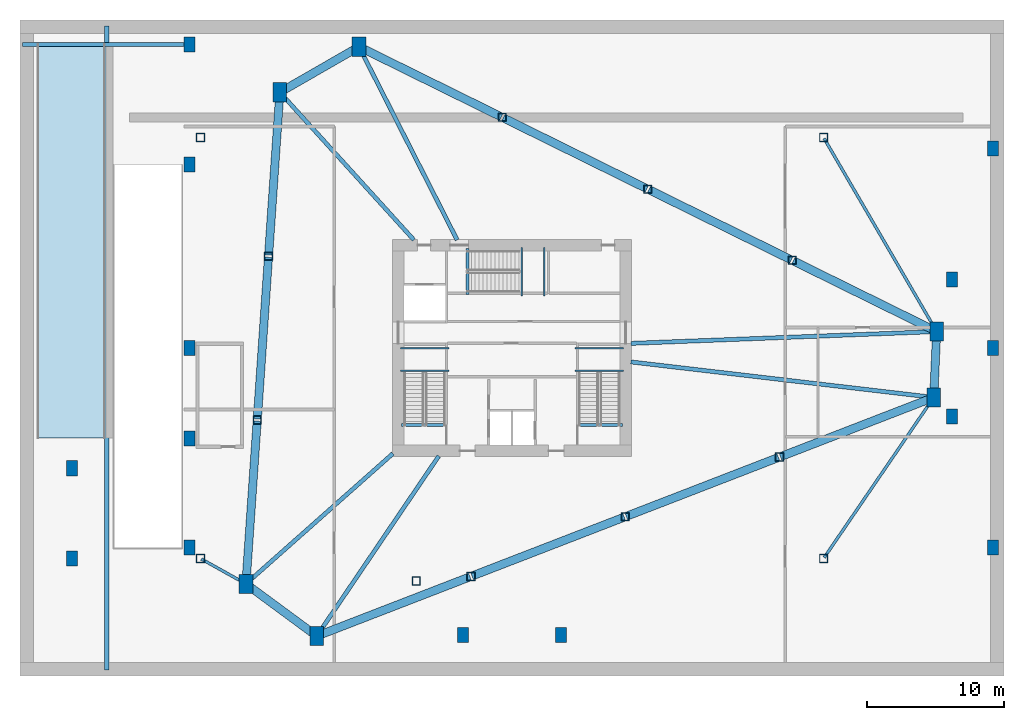
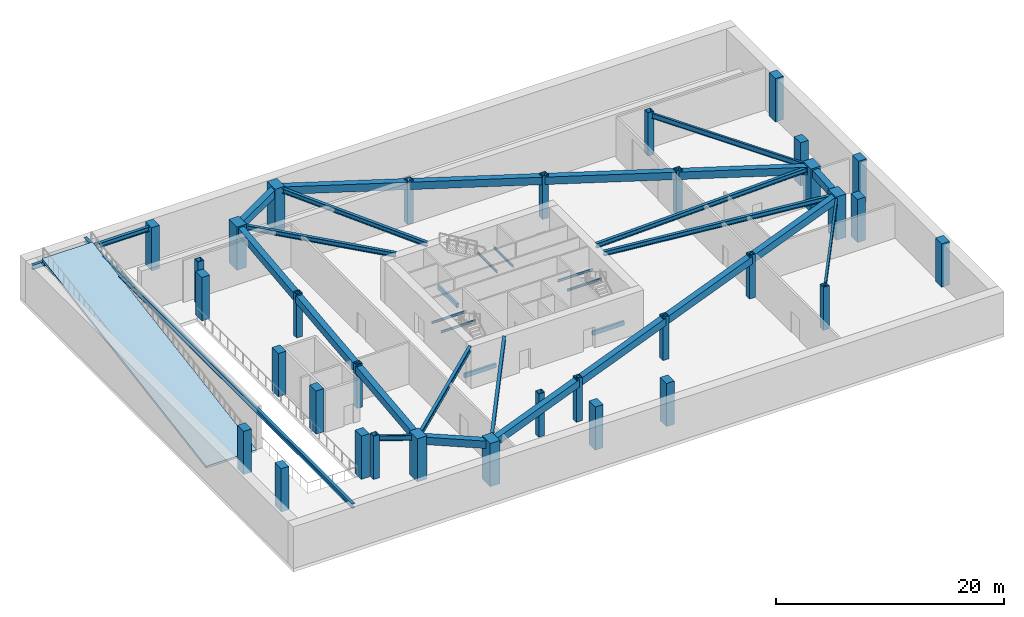
# One storey, part 1 of 9: 34 beams, 33 columns, 1 slab.
"""IFC4 building model written with IfcOpenShell, lengths in metres."""

from ifc_helpers import new_model, si_unit, direction, frame, origin, origin_2d, place, context, subcontext, project, spatial, polyline, rectangle, hollow_rectangle, i_section, outline, extrude, source, transform, mapped, material, layer, layer_set, material_profile, profile_set, type_object, element, save


model = new_model("IFC4")

# Units and contexts
model_context = context("Model", 3, precision=1e-05, world=origin(), true_north=direction((0.0, 1.0)))
body_context = subcontext(model_context, "Body", "Model", "MODEL_VIEW")
ifc_project = project(units=[si_unit("LENGTHUNIT", "METRE"), si_unit("AREAUNIT", "SQUARE_METRE"), si_unit("VOLUMEUNIT", "CUBIC_METRE"), si_unit("PLANEANGLEUNIT", "RADIAN"), si_unit("MASSUNIT", "GRAM", prefix="KILO")], contexts=[model_context])

# Site, building, storey
site_placement = place(None, origin())
site = spatial("IfcSite", under=ifc_project, at=site_placement, CompositionType="ELEMENT")
building_placement = place(site_placement, origin())
building = spatial("IfcBuilding", under=site, at=building_placement, Name="Olszyna Solenne Hotel", CompositionType="ELEMENT")
storey_placement = place(building_placement, frame((0.0, 0.0, -4.800048828125)))
storey = spatial("IfcBuildingStorey", under=building, at=storey_placement, Name="B01", CompositionType="ELEMENT", Elevation=-4.800048828125)

# Columns
ifc_material_1 = material(Name="Concrete C60/75", Category="concrete")
ifc_material_profile_1 = material_profile(ifc_material_1, rectangle(XDim=1.0, YDim=1.39990234375, at=origin_2d()), Name="RC 1400x1000", Category="load-bearing")
ifc_profile_set_1 = profile_set([ifc_material_profile_1], Name="Concrete C60/75")
column_type_1 = type_object("IfcColumnType", Name="COL-P1", PredefinedType="COLUMN", material=ifc_profile_set_1)
shared_shape_1 = source(origin(), body_context, "Body", "SweptSolid", [
    extrude(rectangle(XDim=1.0, YDim=1.39990234375, at=origin_2d()), origin(), (0.0, 0.0, 1.0), 4.635009765625),
])
for number, where, z_axis, x_axis, name in (
    (1, (68.858154296875, 22.984619140625, 0.0), (0.0, 0.0, 1.0), (1.0, 0.0, 0.0), "Podium mega-column COL-P1 C-B01-P1-01"),
    (2, (69.072509765625, 27.802978515625, 0.0), (0.0, 0.0, 1.0), (1.0, 0.0, 0.0), "Podium mega-column COL-P1 C-B01-P1-02"),
    (3, (26.808837890625, 48.6416015625, 0.0), (0.0, 0.0, 1.0), (1.0, 0.0, 0.0), "Podium mega-column COL-P1 C-B01-P1-03"),
    (4, (21.014404296875, 45.309326171875, 0.0), (0.0, 0.0, 1.0), (1.0, 0.0, 0.0), "Podium mega-column COL-P1 C-B01-P1-04"),
    (5, (18.53173828125, 9.34130859375, 0.0), (0.0, 0.0, 1.0), (1.0, 0.0, 0.0), "Podium mega-column COL-P1 C-B01-P1-05"),
    (6, (23.71435546875, 5.520263671875, 0.0), (0.0, 0.0, 1.0), (1.0, 0.0, 0.0), "Podium mega-column COL-P1 C-B01-P1-06"),
):
    element("IfcColumn", number, at=place(storey_placement, frame(where, z_axis=z_axis, x_axis=x_axis)), inside=storey, type_object=column_type_1, Name=name, PredefinedType="COLUMN", context=body_context, shape_type="MappedRepresentation", body=[
        mapped(shared_shape_1, transform((0.0, 0.0, 0.0), x_axis=(1.0, 0.0, 0.0), y_axis=(0.0, 1.0, 0.0), z_axis=(0.0, 0.0, 1.0), scale=1.0)),
    ])
ifc_material_2 = material(Name="Steel S460M", Category="steel")
ifc_material_profile_2 = material_profile(ifc_material_2, hollow_rectangle(XDim=0.60009765625, YDim=0.60009765625, WallThickness=0.034912109375, at=origin_2d()), Name="SHS 600x600x35", Category="load-bearing")
ifc_profile_set_2 = profile_set([ifc_material_profile_2], Name="Steel S460M")
column_type_2 = type_object("IfcColumnType", Name="COL-P2", PredefinedType="COLUMN", material=ifc_profile_set_2)
shared_shape_2 = source(origin(), body_context, "Body", "SweptSolid", [
    extrude(hollow_rectangle(XDim=0.60009765625, YDim=0.60009765625, WallThickness=0.034912109375, at=origin_2d()), origin(), (0.0, 0.0, 1.0), 4.635009765625),
])
for number, where, z_axis, x_axis, name in (
    (7, (15.199951171875, 11.199951171875, 0.0), (0.0, 0.0, 1.0), (1.0, 0.0, 0.0), "Podium mega-column COL-P2 C-B01-P2-01"),
    (8, (15.199951171875, 42.0, 0.0), (0.0, 0.0, 1.0), (1.0, 0.0, 0.0), "Podium mega-column COL-P2 C-B01-P2-02"),
    (9, (60.800048828125, 11.199951171875, 0.0), (0.0, 0.0, 1.0), (1.0, 0.0, 0.0), "Podium mega-column COL-P2 C-B01-P2-03"),
    (10, (60.800048828125, 42.0, 0.0), (0.0, 0.0, 1.0), (1.0, 0.0, 0.0), "Podium mega-column COL-P2 C-B01-P2-04"),
    (11, (58.506591796875, 33.0126953125, 0.0), (0.0, 0.0, 1.0), (1.0, 0.0, 0.0), "Podium transfer-support column COL-P2 C-B01-TG-01"),
    (12, (47.94091796875, 38.222412109375, 0.0), (0.0, 0.0, 1.0), (1.0, 0.0, 0.0), "Podium transfer-support column COL-P2 C-B01-TG-02"),
    (13, (37.287109375, 43.47509765625, 0.0), (0.0, 0.0, 1.0), (1.0, 0.0, 0.0), "Podium transfer-support column COL-P2 C-B01-TG-03"),
    (14, (20.186767578125, 33.320068359375, 0.0), (0.0, 0.0, 1.0), (1.0, 0.0, 0.0), "Podium transfer-support column COL-P2 C-B01-TG-04"),
    (15, (19.359375, 21.33056640625, 0.0), (0.0, 0.0, 1.0), (1.0, 0.0, 0.0), "Podium transfer-support column COL-P2 C-B01-TG-05"),
    (16, (35.000244140625, 9.88623046875, 0.0), (0.0, 0.0, 1.0), (1.0, 0.0, 0.0), "Podium transfer-support column COL-P2 C-B01-TG-06"),
    (17, (46.2861328125, 14.25244140625, 0.0), (0.0, 0.0, 1.0), (1.0, 0.0, 0.0), "Podium transfer-support column COL-P2 C-B01-TG-07"),
    (18, (57.572265625, 18.618408203125, 0.0), (0.0, 0.0, 1.0), (1.0, 0.0, 0.0), "Podium transfer-support column COL-P2 C-B01-TG-08"),
    (19, (31.0, 9.550048828125, 0.0), (0.0, 0.0, 1.0), (1.0, 0.0, 0.0), "Feature stair support column COL-P2 C-B01-FS1"),
):
    element("IfcColumn", number, at=place(storey_placement, frame(where, z_axis=z_axis, x_axis=x_axis)), inside=storey, type_object=column_type_2, Name=name, PredefinedType="COLUMN", context=body_context, shape_type="MappedRepresentation", body=[
        mapped(shared_shape_2, transform((0.0, 0.0, 0.0), x_axis=(1.0, 0.0, 0.0), y_axis=(0.0, 1.0, 0.0), z_axis=(0.0, 0.0, 1.0), scale=1.0)),
    ])
ifc_material_3 = material(Name="Concrete C50/60", Category="concrete")
ifc_material_profile_3 = material_profile(ifc_material_3, rectangle(XDim=0.800048828125, YDim=1.10009765625, at=origin_2d()), Name="RC 1100x800", Category="load-bearing")
ifc_profile_set_3 = profile_set([ifc_material_profile_3], Name="Concrete C50/60")
column_type_3 = type_object("IfcColumnType", Name="COL-B1", PredefinedType="COLUMN", material=ifc_profile_set_3)
shared_shape_3 = source(origin(), body_context, "Body", "SweptSolid", [
    extrude(rectangle(XDim=0.800048828125, YDim=1.10009765625, at=origin_2d()), origin(), (0.0, 0.0, 1.0), 4.635009765625),
])
for number, where, z_axis, x_axis, name in (
    (20, (14.39990234375, 12.0, 0.0), (0.0, 0.0, 1.0), (1.0, 0.0, 0.0), "Basement perimeter column COL-B1 C-B01-B1-01"),
    (21, (14.39990234375, 19.97998046875, 0.0), (0.0, 0.0, 1.0), (1.0, 0.0, 0.0), "Basement perimeter column COL-B1 C-B01-B1-02"),
    (22, (14.39990234375, 26.60009765625, 0.0), (0.0, 0.0, 1.0), (1.0, 0.0, 0.0), "Basement perimeter column COL-B1 C-B01-B1-03"),
    (23, (14.39990234375, 40.02001953125, 0.0), (0.0, 0.0, 1.0), (1.0, 0.0, 0.0), "Basement perimeter column COL-B1 C-B01-B1-04"),
    (24, (14.39990234375, 48.820068359375, 0.0), (0.0, 0.0, 1.0), (1.0, 0.0, 0.0), "Basement perimeter column COL-B1 C-B01-B1-05"),
    (25, (34.39990234375, 5.60009765625, 0.0), (0.0, 0.0, 1.0), (1.0, 0.0, 0.0), "Basement perimeter column COL-B1 C-B01-B1-06"),
    (26, (41.60009765625, 5.60009765625, 0.0), (0.0, 0.0, 1.0), (1.0, 0.0, 0.0), "Basement perimeter column COL-B1 C-B01-B1-07"),
    (27, (73.199951171875, 12.0, 0.0), (0.0, 0.0, 1.0), (1.0, 0.0, 0.0), "Basement perimeter column COL-B1 C-B01-B1-08"),
    (28, (73.199951171875, 26.60009765625, 0.0), (0.0, 0.0, 1.0), (1.0, 0.0, 0.0), "Basement perimeter column COL-B1 C-B01-B1-09"),
    (29, (73.199951171875, 41.199951171875, 0.0), (0.0, 0.0, 1.0), (1.0, 0.0, 0.0), "Basement perimeter column COL-B1 C-B01-B1-10"),
    (30, (5.800048828125, 11.199951171875, 0.0), (0.0, 0.0, 1.0), (1.0, 0.0, 0.0), "Terrace support RC column COL-B1 C-B01-TC-063"),
    (31, (5.800048828125, 17.800048828125, 0.0), (0.0, 0.0, 1.0), (1.0, 0.0, 0.0), "Terrace support RC column COL-B1 C-B01-TC-064"),
    (32, (70.199951171875, 21.60009765625, 0.0), (0.0, 0.0, 1.0), (1.0, 0.0, 0.0), "Terrace support RC column COL-B1 C-B01-TC-065"),
    (33, (70.199951171875, 31.60009765625, 0.0), (0.0, 0.0, 1.0), (1.0, 0.0, 0.0), "Terrace support RC column COL-B1 C-B01-TC-066"),
):
    element("IfcColumn", number, at=place(storey_placement, frame(where, z_axis=z_axis, x_axis=x_axis)), inside=storey, type_object=column_type_3, Name=name, PredefinedType="COLUMN", context=body_context, shape_type="MappedRepresentation", body=[
        mapped(shared_shape_3, transform((0.0, 0.0, 0.0), x_axis=(1.0, 0.0, 0.0), y_axis=(0.0, 1.0, 0.0), z_axis=(0.0, 0.0, 1.0), scale=1.0)),
    ])

# Beams
ifc_material_profile_4 = material_profile(ifc_material_3, rectangle(XDim=0.60009765625, YDim=0.800048828125, at=origin_2d()), Name="RC 800x600", Category="load-bearing")
ifc_profile_set_4 = profile_set([ifc_material_profile_4], Name="Concrete C50/60")
beam_type_1 = type_object("IfcBeamType", Name="BM-B1", PredefinedType="BEAM", material=ifc_profile_set_4)
shared_shape_4 = source(origin(), body_context, "Body", "SweptSolid", [
    extrude(rectangle(XDim=0.60009765625, YDim=0.800048828125, at=origin_2d()), origin(), (0.0, 0.0, 1.0), 4.6630859375),
])
beam_1_placement = place(storey_placement, frame((68.86181640625, 23.064453125, 4.080078125), z_axis=(0.044450544341, 0.999011586073, 0.0), x_axis=(-0.999011586073, 0.044450544341, 0.0)))
element("IfcBeam", 34, at=beam_1_placement, inside=storey, type_object=beam_type_1, Name="Podium ring girder BM-B1 B-B01-0019", PredefinedType="BEAM", context=body_context, shape_type="MappedRepresentation", body=[
    mapped(shared_shape_4, transform((0.0, 0.0, 0.0), x_axis=(1.0, 0.0, 0.0), y_axis=(0.0, 1.0, 0.0), z_axis=(0.0, 0.0, 1.0), scale=1.0)),
])
ifc_material_4 = material(Name="Steel S355J2", Category="steel")
ifc_material_profile_5 = material_profile(ifc_material_4, i_section(OverallWidth=0.300048828125, OverallDepth=0.489990234375, WebThickness=0.011962890625, FlangeThickness=0.02294921875, at=origin_2d()), Name="HEA 500", Category="load-bearing")
ifc_profile_set_5 = profile_set([ifc_material_profile_5], Name="Steel S355J2")
beam_type_2 = type_object("IfcBeamType", Name="BM-G1", PredefinedType="BEAM", material=ifc_profile_set_5)
shared_shape_5 = source(origin(), body_context, "Body", "SweptSolid", [
    extrude(i_section(OverallWidth=0.300048828125, OverallDepth=0.489990234375, WebThickness=0.011962890625, FlangeThickness=0.02294921875, at=origin_2d()), origin(), (0.0, 0.0, 1.0), 22.2294921875),
])
beam_2_placement = place(storey_placement, frame((68.778564453125, 22.993896484375, 4.235107421875), z_axis=(-0.993206789888, 0.116362676665, 0.0), x_axis=(-0.116362676665, -0.993206789888, 0.0)))
element("IfcBeam", 35, at=beam_2_placement, inside=storey, type_object=beam_type_2, Name="Podium radial girder BM-G1 B-B01-0020", PredefinedType="BEAM", context=body_context, shape_type="MappedRepresentation", body=[
    mapped(shared_shape_5, transform((0.0, 0.0, 0.0), x_axis=(1.0, 0.0, 0.0), y_axis=(0.0, 1.0, 0.0), z_axis=(0.0, 0.0, 1.0), scale=1.0)),
])
shared_shape_6 = source(origin(), body_context, "Body", "SweptSolid", [
    extrude(rectangle(XDim=0.60009765625, YDim=0.800048828125, at=origin_2d()), origin(), (0.0, 0.0, 1.0), 11.6201171875),
])
for number, where, z_axis, x_axis, name in (
    (36, (69.000732421875, 27.83837890625, 4.080078125), (-0.896896785097, 0.442239931352, 0.0), (-0.442239931352, -0.896896785097, 0.0), "Podium ring girder BM-B1 B-B01-0021"),
    (37, (58.434814453125, 33.048095703125, 4.080078125), (-0.896896785097, 0.442239931352, 0.0), (-0.442239931352, -0.896896785097, 0.0), "Podium ring girder BM-B1 BRG-B01-22"),
):
    element("IfcBeam", number, at=place(storey_placement, frame(where, z_axis=z_axis, x_axis=x_axis)), inside=storey, type_object=beam_type_1, Name=name, PredefinedType="BEAM", context=body_context, shape_type="MappedRepresentation", body=[
        mapped(shared_shape_6, transform((0.0, 0.0, 0.0), x_axis=(1.0, 0.0, 0.0), y_axis=(0.0, 1.0, 0.0), z_axis=(0.0, 0.0, 1.0), scale=1.0)),
    ])
shared_shape_7 = source(origin(), body_context, "Body", "SweptSolid", [
    extrude(rectangle(XDim=0.60009765625, YDim=0.800048828125, at=origin_2d()), origin(), (0.0, 0.0, 1.0), 11.718017578125),
])
beam_3_placement = place(storey_placement, frame((47.868896484375, 38.2578125, 4.080078125), z_axis=(-0.896909246916, 0.442214656921, 0.0), x_axis=(-0.442214656921, -0.896909246916, 0.0)))
element("IfcBeam", 38, at=beam_3_placement, inside=storey, type_object=beam_type_1, Name="Podium ring girder BM-B1 BRG-B01-23", PredefinedType="BEAM", context=body_context, shape_type="MappedRepresentation", body=[
    mapped(shared_shape_7, transform((0.0, 0.0, 0.0), x_axis=(1.0, 0.0, 0.0), y_axis=(0.0, 1.0, 0.0), z_axis=(0.0, 0.0, 1.0), scale=1.0)),
])
shared_shape_8 = source(origin(), body_context, "Body", "SweptSolid", [
    extrude(rectangle(XDim=0.60009765625, YDim=0.800048828125, at=origin_2d()), origin(), (0.0, 0.0, 1.0), 11.5224609375),
])
beam_4_placement = place(storey_placement, frame((37.215087890625, 43.510498046875, 4.080078125), z_axis=(-0.896896659494, 0.442240186085, 0.0), x_axis=(-0.442240186085, -0.896896659494, 0.0)))
element("IfcBeam", 39, at=beam_4_placement, inside=storey, type_object=beam_type_1, Name="Podium ring girder BM-B1 BRG-B01-24", PredefinedType="BEAM", context=body_context, shape_type="MappedRepresentation", body=[
    mapped(shared_shape_8, transform((0.0, 0.0, 0.0), x_axis=(1.0, 0.0, 0.0), y_axis=(0.0, 1.0, 0.0), z_axis=(0.0, 0.0, 1.0), scale=1.0)),
])
shared_shape_9 = source(origin(), body_context, "Body", "SweptSolid", [
    extrude(i_section(OverallWidth=0.300048828125, OverallDepth=0.489990234375, WebThickness=0.011962890625, FlangeThickness=0.02294921875, at=origin_2d()), origin(), (0.0, 0.0, 1.0), 22.309326171875),
])
beam_5_placement = place(storey_placement, frame((68.99267578125, 27.7998046875, 4.235107421875), z_axis=(-0.999251460368, -0.038684867238, 0.0), x_axis=(0.038684867238, -0.999251460368, 0.0)))
element("IfcBeam", 40, at=beam_5_placement, inside=storey, type_object=beam_type_2, Name="Podium radial girder BM-G1 B-B01-0022", PredefinedType="BEAM", context=body_context, shape_type="MappedRepresentation", body=[
    mapped(shared_shape_9, transform((0.0, 0.0, 0.0), x_axis=(1.0, 0.0, 0.0), y_axis=(0.0, 1.0, 0.0), z_axis=(0.0, 0.0, 1.0), scale=1.0)),
])
shared_shape_10 = source(origin(), body_context, "Body", "SweptSolid", [
    extrude(rectangle(XDim=0.60009765625, YDim=0.800048828125, at=origin_2d()), origin(), (0.0, 0.0, 1.0), 6.524169921875),
])
beam_6_placement = place(storey_placement, frame((26.739501953125, 48.601806640625, 4.080078125), z_axis=(-0.866881237844, -0.498514713397, 0.0), x_axis=(0.498514713397, -0.866881237844, 0.0)))
element("IfcBeam", 41, at=beam_6_placement, inside=storey, type_object=beam_type_1, Name="Podium ring girder BM-B1 B-B01-0023", PredefinedType="BEAM", context=body_context, shape_type="MappedRepresentation", body=[
    mapped(shared_shape_10, transform((0.0, 0.0, 0.0), x_axis=(1.0, 0.0, 0.0), y_axis=(0.0, 1.0, 0.0), z_axis=(0.0, 0.0, 1.0), scale=1.0)),
])
shared_shape_11 = source(origin(), body_context, "Body", "SweptSolid", [
    extrude(i_section(OverallWidth=0.300048828125, OverallDepth=0.489990234375, WebThickness=0.011962890625, FlangeThickness=0.02294921875, at=origin_2d()), origin(), (0.0, 0.0, 1.0), 15.77392578125),
])
beam_7_placement = place(storey_placement, frame((26.84521484375, 48.5703125, 4.235107421875), z_axis=(0.452702772285, -0.891661482832, 0.0), x_axis=(0.891661482832, 0.452702772285, 0.0)))
element("IfcBeam", 42, at=beam_7_placement, inside=storey, type_object=beam_type_2, Name="Podium radial girder BM-G1 B-B01-0024", PredefinedType="BEAM", context=body_context, shape_type="MappedRepresentation", body=[
    mapped(shared_shape_11, transform((0.0, 0.0, 0.0), x_axis=(1.0, 0.0, 0.0), y_axis=(0.0, 1.0, 0.0), z_axis=(0.0, 0.0, 1.0), scale=1.0)),
])
shared_shape_12 = source(origin(), body_context, "Body", "SweptSolid", [
    extrude(rectangle(XDim=0.60009765625, YDim=0.800048828125, at=origin_2d()), origin(), (0.0, 0.0, 1.0), 11.857666015625),
])
beam_8_placement = place(storey_placement, frame((21.0087890625, 45.2294921875, 4.080078125), z_axis=(-0.068850141024, -0.997627013508, 0.0), x_axis=(0.997627013508, -0.068850141024, 0.0)))
element("IfcBeam", 43, at=beam_8_placement, inside=storey, type_object=beam_type_1, Name="Podium ring girder BM-B1 B-B01-0025", PredefinedType="BEAM", context=body_context, shape_type="MappedRepresentation", body=[
    mapped(shared_shape_12, transform((0.0, 0.0, 0.0), x_axis=(1.0, 0.0, 0.0), y_axis=(0.0, 1.0, 0.0), z_axis=(0.0, 0.0, 1.0), scale=1.0)),
])
shared_shape_13 = source(origin(), body_context, "Body", "SweptSolid", [
    extrude(rectangle(XDim=0.60009765625, YDim=0.800048828125, at=origin_2d()), origin(), (0.0, 0.0, 1.0), 11.85791015625),
])
for number, where, z_axis, x_axis, name in (
    (44, (20.181396484375, 33.240234375, 4.080078125), (-0.068869217947, -0.997625696752, 0.0), (0.997625696752, -0.068869217947, 0.0), "Podium ring girder BM-B1 BRG-B01-42"),
    (45, (19.353759765625, 21.250732421875, 4.080078125), (-0.068869217947, -0.997625696752, 0.0), (0.997625696752, -0.068869217947, 0.0), "Podium ring girder BM-B1 BRG-B01-43"),
):
    element("IfcBeam", number, at=place(storey_placement, frame(where, z_axis=z_axis, x_axis=x_axis)), inside=storey, type_object=beam_type_1, Name=name, PredefinedType="BEAM", context=body_context, shape_type="MappedRepresentation", body=[
        mapped(shared_shape_13, transform((0.0, 0.0, 0.0), x_axis=(1.0, 0.0, 0.0), y_axis=(0.0, 1.0, 0.0), z_axis=(0.0, 0.0, 1.0), scale=1.0)),
    ])
shared_shape_14 = source(origin(), body_context, "Body", "SweptSolid", [
    extrude(rectangle(XDim=0.60009765625, YDim=0.800048828125, at=origin_2d()), origin(), (0.0, 0.0, 1.0), 6.27880859375),
])
beam_9_placement = place(storey_placement, frame((18.59619140625, 9.293701171875, 4.080078125), z_axis=(0.804881840641, -0.593435103955, 0.0), x_axis=(0.593435103955, 0.804881840641, 0.0)))
element("IfcBeam", 46, at=beam_9_placement, inside=storey, type_object=beam_type_1, Name="Podium ring girder BM-B1 B-B01-0027", PredefinedType="BEAM", context=body_context, shape_type="MappedRepresentation", body=[
    mapped(shared_shape_14, transform((0.0, 0.0, 0.0), x_axis=(1.0, 0.0, 0.0), y_axis=(0.0, 1.0, 0.0), z_axis=(0.0, 0.0, 1.0), scale=1.0)),
])
shared_shape_15 = source(origin(), body_context, "Body", "SweptSolid", [
    extrude(i_section(OverallWidth=0.300048828125, OverallDepth=0.489990234375, WebThickness=0.011962890625, FlangeThickness=0.02294921875, at=origin_2d()), origin(), (0.0, 0.0, 1.0), 14.293701171875),
])
beam_10_placement = place(storey_placement, frame((18.591552734375, 9.394287109375, 4.235107421875), z_axis=(0.748292597606, 0.663368817754, 0.0), x_axis=(-0.663368817754, 0.748292597606, 0.0)))
element("IfcBeam", 47, at=beam_10_placement, inside=storey, type_object=beam_type_2, Name="Podium radial girder BM-G1 B-B01-0028", PredefinedType="BEAM", context=body_context, shape_type="MappedRepresentation", body=[
    mapped(shared_shape_15, transform((0.0, 0.0, 0.0), x_axis=(1.0, 0.0, 0.0), y_axis=(0.0, 1.0, 0.0), z_axis=(0.0, 0.0, 1.0), scale=1.0)),
])
shared_shape_16 = source(origin(), body_context, "Body", "SweptSolid", [
    extrude(rectangle(XDim=0.60009765625, YDim=0.800048828125, at=origin_2d()), origin(), (0.0, 0.0, 1.0), 11.941162109375),
])
beam_11_placement = place(storey_placement, frame((23.788818359375, 5.549072265625, 4.080078125), z_axis=(0.932645120915, 0.360795064314, 0.0), x_axis=(-0.360795064314, 0.932645120915, 0.0)))
element("IfcBeam", 48, at=beam_11_placement, inside=storey, type_object=beam_type_1, Name="Podium ring girder BM-B1 B-B01-0029", PredefinedType="BEAM", context=body_context, shape_type="MappedRepresentation", body=[
    mapped(shared_shape_16, transform((0.0, 0.0, 0.0), x_axis=(1.0, 0.0, 0.0), y_axis=(0.0, 1.0, 0.0), z_axis=(0.0, 0.0, 1.0), scale=1.0)),
])
shared_shape_17 = source(origin(), body_context, "Body", "SweptSolid", [
    extrude(rectangle(XDim=0.60009765625, YDim=0.800048828125, at=origin_2d()), origin(), (0.0, 0.0, 1.0), 11.94091796875),
])
for number, where, z_axis, x_axis, name in (
    (49, (35.074951171875, 9.915283203125, 4.080078125), (0.932649339214, 0.360784159939, 0.0), (-0.360784159939, 0.932649339214, 0.0), "Podium ring girder BM-B1 BRG-B01-62"),
    (50, (46.36083984375, 14.28125, 4.080078125), (0.932642459435, 0.360801944091, 0.0), (-0.360801944091, 0.932642459435, 0.0), "Podium ring girder BM-B1 BRG-B01-63"),
    (51, (57.646728515625, 18.6474609375, 4.080078125), (0.932642459435, 0.360801944091, 0.0), (-0.360801944091, 0.932642459435, 0.0), "Podium ring girder BM-B1 BRG-B01-64"),
):
    element("IfcBeam", number, at=place(storey_placement, frame(where, z_axis=z_axis, x_axis=x_axis)), inside=storey, type_object=beam_type_1, Name=name, PredefinedType="BEAM", context=body_context, shape_type="MappedRepresentation", body=[
        mapped(shared_shape_17, transform((0.0, 0.0, 0.0), x_axis=(1.0, 0.0, 0.0), y_axis=(0.0, 1.0, 0.0), z_axis=(0.0, 0.0, 1.0), scale=1.0)),
    ])
shared_shape_18 = source(origin(), body_context, "Body", "SweptSolid", [
    extrude(i_section(OverallWidth=0.300048828125, OverallDepth=0.489990234375, WebThickness=0.011962890625, FlangeThickness=0.02294921875, at=origin_2d()), origin(), (0.0, 0.0, 1.0), 15.830810546875),
])
beam_12_placement = place(storey_placement, frame((23.75927734375, 5.58642578125, 4.235107421875), z_axis=(0.561001243255, 0.827814958228, 0.0), x_axis=(-0.827814958228, 0.561001243255, 0.0)))
element("IfcBeam", 52, at=beam_12_placement, inside=storey, type_object=beam_type_2, Name="Podium radial girder BM-G1 B-B01-0030", PredefinedType="BEAM", context=body_context, shape_type="MappedRepresentation", body=[
    mapped(shared_shape_18, transform((0.0, 0.0, 0.0), x_axis=(1.0, 0.0, 0.0), y_axis=(0.0, 1.0, 0.0), z_axis=(0.0, 0.0, 1.0), scale=1.0)),
])
ifc_material_profile_6 = material_profile(ifc_material_4, i_section(OverallWidth=0.2099609375, OverallDepth=0.550048828125, WebThickness=0.010986328125, FlangeThickness=0.01708984375, at=origin_2d()), Name="IPE 550", Category="load-bearing")
ifc_profile_set_6 = profile_set([ifc_material_profile_6], Name="Steel S355J2")
beam_type_3 = type_object("IfcBeamType", Name="BM-F2", PredefinedType="BEAM", material=ifc_profile_set_6)
shared_shape_19 = source(origin(), body_context, "Body", "SweptSolid", [
    extrude(i_section(OverallWidth=0.2099609375, OverallDepth=0.550048828125, WebThickness=0.010986328125, FlangeThickness=0.01708984375, at=origin_2d()), origin(), (0.0, 0.0, 1.0), 3.655029296875),
])
beam_13_placement = place(storey_placement, frame((15.27001953125, 11.160888671875, 4.205078125), z_axis=(0.873286271012, -0.487207439251, 0.0), x_axis=(0.487207439251, 0.873286271012, 0.0)))
element("IfcBeam", 53, at=beam_13_placement, inside=storey, type_object=beam_type_3, Name="Podium terrace girder BM-F2 B-B01-0033", PredefinedType="BEAM", context=body_context, shape_type="MappedRepresentation", body=[
    mapped(shared_shape_19, transform((0.0, 0.0, 0.0), x_axis=(1.0, 0.0, 0.0), y_axis=(0.0, 1.0, 0.0), z_axis=(0.0, 0.0, 1.0), scale=1.0)),
])
shared_shape_20 = source(origin(), body_context, "Body", "SweptSolid", [
    extrude(i_section(OverallWidth=0.2099609375, OverallDepth=0.550048828125, WebThickness=0.010986328125, FlangeThickness=0.01708984375, at=origin_2d()), origin(), (0.0, 0.0, 1.0), 14.1162109375),
])
beam_14_placement = place(storey_placement, frame((60.84521484375, 11.26611328125, 4.205078125), z_axis=(0.564440227012, 0.825473942733, 0.0), x_axis=(-0.825473942733, 0.564440227012, 0.0)))
element("IfcBeam", 54, at=beam_14_placement, inside=storey, type_object=beam_type_3, Name="Podium terrace girder BM-F2 B-B01-0034", PredefinedType="BEAM", context=body_context, shape_type="MappedRepresentation", body=[
    mapped(shared_shape_20, transform((0.0, 0.0, 0.0), x_axis=(1.0, 0.0, 0.0), y_axis=(0.0, 1.0, 0.0), z_axis=(0.0, 0.0, 1.0), scale=1.0)),
])
shared_shape_21 = source(origin(), body_context, "Body", "SweptSolid", [
    extrude(i_section(OverallWidth=0.2099609375, OverallDepth=0.550048828125, WebThickness=0.010986328125, FlangeThickness=0.01708984375, at=origin_2d()), origin(), (0.0, 0.0, 1.0), 16.271484375),
])
beam_15_placement = place(storey_placement, frame((60.84033203125, 41.930908203125, 4.205078125), z_axis=(0.503453956375, -0.864022056322, 0.0), x_axis=(0.864022056322, 0.503453956375, 0.0)))
element("IfcBeam", 55, at=beam_15_placement, inside=storey, type_object=beam_type_3, Name="Podium terrace girder BM-F2 B-B01-0035", PredefinedType="BEAM", context=body_context, shape_type="MappedRepresentation", body=[
    mapped(shared_shape_21, transform((0.0, 0.0, 0.0), x_axis=(1.0, 0.0, 0.0), y_axis=(0.0, 1.0, 0.0), z_axis=(0.0, 0.0, 1.0), scale=1.0)),
])
shared_shape_22 = source(origin(), body_context, "Body", "SweptSolid", [
    extrude(i_section(OverallWidth=0.300048828125, OverallDepth=0.489990234375, WebThickness=0.011962890625, FlangeThickness=0.02294921875, at=origin_2d()), origin(), (0.0, 0.0, 1.0), 14.502197265625),
])
beam_16_placement = place(storey_placement, frame((21.068115234375, 45.250244140625, 4.235107421875), z_axis=(0.672176589992, -0.740390864252, 0.0), x_axis=(0.740390864252, 0.672176589992, 0.0)))
element("IfcBeam", 56, at=beam_16_placement, inside=storey, type_object=beam_type_2, Name="Podium radial girder BM-G1 B-B01-0026", PredefinedType="BEAM", context=body_context, shape_type="MappedRepresentation", body=[
    mapped(shared_shape_22, transform((0.0, 0.0, 0.0), x_axis=(1.0, 0.0, 0.0), y_axis=(0.0, 1.0, 0.0), z_axis=(0.0, 0.0, 1.0), scale=1.0)),
])
shared_shape_23 = source(origin(), body_context, "Body", "SweptSolid", [
    extrude(i_section(OverallWidth=0.300048828125, OverallDepth=0.489990234375, WebThickness=0.011962890625, FlangeThickness=0.02294921875, at=origin_2d()), origin(), (0.0, 0.0, 1.0), 12.1201171875),
])
beam_17_placement = place(storey_placement, frame((2.199951171875, 48.820068359375, 4.235107421875), z_axis=(1.0, 0.0, 0.0), x_axis=(0.0, 1.0, 0.0)))
element("IfcBeam", 57, at=beam_17_placement, inside=storey, type_object=beam_type_2, Name="L00 vehicle ramp arrival girder BM-G1 B-B01-0031", PredefinedType="BEAM", context=body_context, shape_type="MappedRepresentation", body=[
    mapped(shared_shape_23, transform((0.0, 0.0, 0.0), x_axis=(1.0, 0.0, 0.0), y_axis=(0.0, 1.0, 0.0), z_axis=(0.0, 0.0, 1.0), scale=1.0)),
])
shared_shape_24 = source(origin(), body_context, "Body", "SweptSolid", [
    extrude(i_section(OverallWidth=0.300048828125, OverallDepth=0.489990234375, WebThickness=0.011962890625, FlangeThickness=0.02294921875, at=origin_2d()), origin(), (0.0, 0.0, 1.0), 47.099853515625),
])
beam_18_placement = place(storey_placement, frame((8.35009765625, 3.050048828125, 4.235107421875), z_axis=(0.0, 1.0, 0.0), x_axis=(-1.0, 0.0, 0.0)))
element("IfcBeam", 58, at=beam_18_placement, inside=storey, type_object=beam_type_2, Name="L00 vehicle ramp East edge girder BM-G1 B-B01-0032", PredefinedType="BEAM", context=body_context, shape_type="MappedRepresentation", body=[
    mapped(shared_shape_24, transform((0.0, 0.0, 0.0), x_axis=(1.0, 0.0, 0.0), y_axis=(0.0, 1.0, 0.0), z_axis=(0.0, 0.0, 1.0), scale=1.0)),
])
ifc_material_profile_7 = material_profile(ifc_material_4, i_section(OverallWidth=0.1201171875, OverallDepth=0.239990234375, WebThickness=0.006103515625, FlangeThickness=0.009765625, at=origin_2d()), Name="IPE 240", Category="load-bearing")
ifc_profile_set_7 = profile_set([ifc_material_profile_7], Name="Steel S355J2")
beam_type_4 = type_object("IfcBeamType", Name="JS-03", PredefinedType="JOIST", material=ifc_profile_set_7)
shared_shape_25 = source(origin(), body_context, "Body", "SweptSolid", [
    extrude(i_section(OverallWidth=0.1201171875, OverallDepth=0.239990234375, WebThickness=0.006103515625, FlangeThickness=0.009765625, at=origin_2d()), origin(), (0.0, 0.0, 1.0), 3.539794921875),
])
for number, where, z_axis, x_axis, name in (
    (59, (33.3798828125, 24.93994140625, 2.074951171875), (-1.0, 0.0, 0.0), (0.0, -1.0, 0.0), "Stair landing support beam JS-03 SLB-ST1-0003"),
    (60, (33.3798828125, 26.580078125, 2.074951171875), (-1.0, 0.0, 0.0), (0.0, -1.0, 0.0), "Stair landing support beam JS-03 SLB-ST1-0004"),
    (61, (46.159912109375, 24.93994140625, 2.074951171875), (-1.0, 0.0, 0.0), (0.0, -1.0, 0.0), "Stair landing support beam JS-03 SLB-ST2-0243"),
    (62, (46.159912109375, 26.580078125, 2.074951171875), (-1.0, 0.0, 0.0), (0.0, -1.0, 0.0), "Stair landing support beam JS-03 SLB-ST2-0244"),
):
    element("IfcBeam", number, at=place(storey_placement, frame(where, z_axis=z_axis, x_axis=x_axis)), inside=storey, type_object=beam_type_4, Name=name, PredefinedType="JOIST", context=body_context, shape_type="MappedRepresentation", body=[
        mapped(shared_shape_25, transform((0.0, 0.0, 0.0), x_axis=(1.0, 0.0, 0.0), y_axis=(0.0, 1.0, 0.0), z_axis=(0.0, 0.0, 1.0), scale=1.0)),
    ])
ifc_material_profile_8 = material_profile(ifc_material_3, rectangle(XDim=0.219970703125, YDim=0.43994140625, at=origin_2d()), Name="RC 220x440", Category="load-bearing")
ifc_profile_set_8 = profile_set([ifc_material_profile_8], Name="Concrete C50/60")
beam_type_5 = type_object("IfcBeamType", Name="BM-ST1", PredefinedType="BEAM", material=ifc_profile_set_8)
shared_shape_26 = source(origin(), body_context, "Body", "SweptSolid", [
    extrude(rectangle(XDim=0.219970703125, YDim=0.43994140625, at=origin_2d()), origin(), (0.0, 0.0, 1.0), 3.18017578125),
])
for number, where, z_axis, x_axis, name in (
    (63, (33.10009765625, 20.97998046875, -0.204833984375), (-1.0, 0.0, 0.0), (0.0, -1.0, 0.0), "Concrete stair trimmer beam BM-ST1 SHB-ST1-0161"),
    (64, (46.080078125, 20.97998046875, -0.204833984375), (-1.0, 0.0, 0.0), (0.0, -1.0, 0.0), "Concrete stair trimmer beam BM-ST1 SHB-ST2-0401"),
):
    element("IfcBeam", number, at=place(storey_placement, frame(where, z_axis=z_axis, x_axis=x_axis)), inside=storey, type_object=beam_type_5, Name=name, PredefinedType="BEAM", context=body_context, shape_type="MappedRepresentation", body=[
        mapped(shared_shape_26, transform((0.0, 0.0, 0.0), x_axis=(1.0, 0.0, 0.0), y_axis=(0.0, 1.0, 0.0), z_axis=(0.0, 0.0, 1.0), scale=1.0)),
    ])
shared_shape_27 = source(origin(), body_context, "Body", "SweptSolid", [
    extrude(i_section(OverallWidth=0.1201171875, OverallDepth=0.239990234375, WebThickness=0.006103515625, FlangeThickness=0.009765625, at=origin_2d()), origin(), (0.0, 0.0, 1.0), 3.5400390625),
])
for number, where, z_axis, x_axis, name in (
    (65, (38.719970703125, 30.419921875, 2.074951171875), (0.0, 1.0, 0.0), (-1.0, 0.0, 0.0), "Stair landing support beam JS-03 SLB-ST3-0483"),
    (66, (40.360107421875, 30.419921875, 2.074951171875), (0.0, 1.0, 0.0), (-1.0, 0.0, 0.0), "Stair landing support beam JS-03 SLB-ST3-0484"),
):
    element("IfcBeam", number, at=place(storey_placement, frame(where, z_axis=z_axis, x_axis=x_axis)), inside=storey, type_object=beam_type_4, Name=name, PredefinedType="JOIST", context=body_context, shape_type="MappedRepresentation", body=[
        mapped(shared_shape_27, transform((0.0, 0.0, 0.0), x_axis=(1.0, 0.0, 0.0), y_axis=(0.0, 1.0, 0.0), z_axis=(0.0, 0.0, 1.0), scale=1.0)),
    ])
shared_shape_28 = source(origin(), body_context, "Body", "SweptSolid", [
    extrude(rectangle(XDim=0.219970703125, YDim=0.43994140625, at=origin_2d()), origin(), (0.0, 0.0, 1.0), 3.3798828125),
])
beam_19_placement = place(storey_placement, frame((34.760009765625, 30.5, -0.204833984375), z_axis=(0.0, 1.0, 0.0), x_axis=(-1.0, 0.0, 0.0)))
element("IfcBeam", 67, at=beam_19_placement, inside=storey, type_object=beam_type_5, Name="Concrete stair trimmer beam BM-ST1 SHB-ST3-0639", PredefinedType="BEAM", context=body_context, shape_type="MappedRepresentation", body=[
    mapped(shared_shape_28, transform((0.0, 0.0, 0.0), x_axis=(1.0, 0.0, 0.0), y_axis=(0.0, 1.0, 0.0), z_axis=(0.0, 0.0, 1.0), scale=1.0)),
])

# Slab
ifc_layer = layer(ifc_material_3, 0.25, Name="Concrete C50/60")
ifc_layer_set = layer_set([ifc_layer], Name="Concrete C50/60")
slab_type = type_object("IfcSlabType", Name="SL-TW250", PredefinedType="FLOOR", material=ifc_layer_set)
slab_placement = place(storey_placement, frame((3.199951171875, 20.0, 0.0), z_axis=(0.0, -0.164400343264, 0.986393697838), x_axis=(1.0, 0.0, 0.0)))
element("IfcSlab", 68, at=slab_placement, inside=storey, type_object=slab_type, Name="Basement B01 to L00 street-exit structural concrete vehicle ramp slab SL-TW250 SL-B01-RMP2", PredefinedType="FLOOR", context=body_context, shape_type="SweptSolid", body=[
    extrude(outline(polyline([(0.0, 0.0), (5.10009765625, 0.0), (5.10009765625, 29.19731633651915), (0.0, 29.19731633651915), (0.0, 0.0)])), origin(), (0.0, 0.0, -1.0), 0.25),
])

save(model, "model.ifc")
